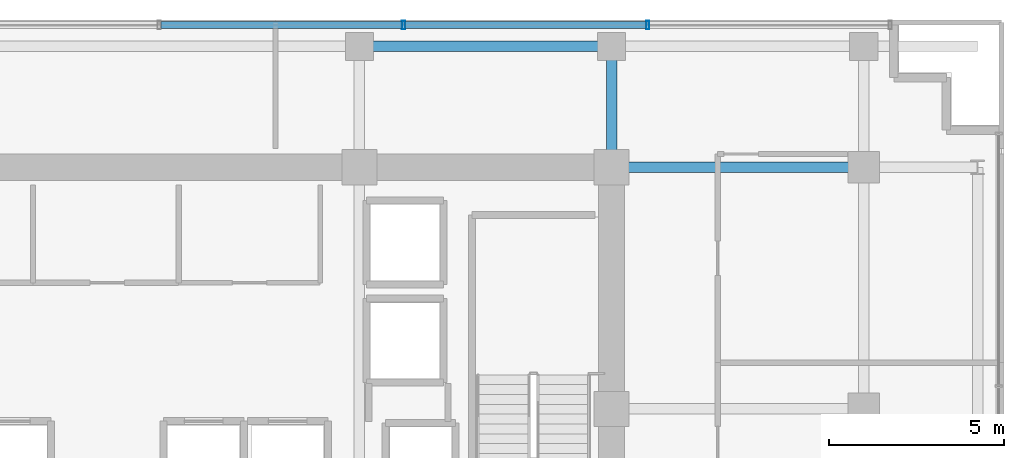
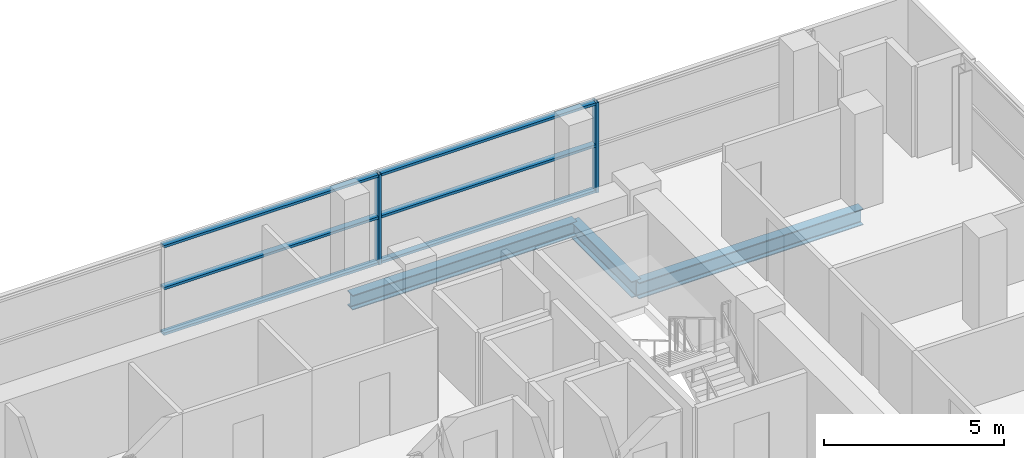
# One storey, part 17 of 27: 8 members, 3 beams, 1 element without a shape of its own.
"""IFC4 building model written with IfcOpenShell, lengths in metres."""

from ifc_helpers import new_model, si_unit, direction, frame, origin, origin_2d, place, context, subcontext, project, spatial, hollow_rectangle, i_section, extrude, source, transform, mapped, material, layer, layer_set, material_profile, profile_set, type_object, element, aggregate, save


model = new_model("IFC4")

# Units and contexts
model_context = context("Model", 3, precision=1e-05, world=origin(), true_north=direction((0.0, 1.0)))
body_context = subcontext(model_context, "Body", "Model", "MODEL_VIEW")
ifc_project = project(units=[si_unit("LENGTHUNIT", "METRE"), si_unit("AREAUNIT", "SQUARE_METRE"), si_unit("VOLUMEUNIT", "CUBIC_METRE"), si_unit("PLANEANGLEUNIT", "RADIAN"), si_unit("MASSUNIT", "GRAM", prefix="KILO")], contexts=[model_context])

# Site, building, storey
site_placement = place(None, origin())
site = spatial("IfcSite", under=ifc_project, at=site_placement, CompositionType="ELEMENT")
building_placement = place(site_placement, origin())
building = spatial("IfcBuilding", under=site, at=building_placement, Name="Zarnakvel Exchange Tower", CompositionType="ELEMENT")
storey_placement = place(building_placement, frame((0.0, 0.0, 96.699951171875)))
storey = spatial("IfcBuildingStorey", under=building, at=storey_placement, Name="L26", CompositionType="ELEMENT", Elevation=96.699951171875)

# Beams
ifc_material_1 = material(Name="Steel S355", Category="steel")
ifc_material_profile_1 = material_profile(ifc_material_1, i_section(OverallWidth=0.300048828125, OverallDepth=0.550048828125, WebThickness=0.014892578125, FlangeThickness=0.029052734375, FilletRadius=0.027099609375, at=origin_2d()))
ifc_profile_set_1 = profile_set([ifc_material_profile_1], Name="Steel S355")
beam_type_1 = type_object("IfcBeamType", Name="G-05", PredefinedType="BEAM", material=ifc_profile_set_1)
beam_1_placement = place(storey_placement, frame((14.39990234375, 13.5, -0.5), z_axis=(1.0, 0.0, 0.0), x_axis=(0.0, 1.0, 0.0)))
element("IfcBeam", 1, at=beam_1_placement, inside=storey, type_object=beam_type_1, Name="L26 Tower E-W Frame Beam", PredefinedType="BEAM", context=body_context, shape_type="SweptSolid", body=[
    extrude(i_section(OverallWidth=0.300048828125, OverallDepth=0.550048828125, WebThickness=0.014892578125, FlangeThickness=0.029052734375, FilletRadius=0.027099609375, at=origin_2d()), origin(), (0.0, 0.0, 1.0), 7.2001953125),
])
beam_2_placement = place(storey_placement, frame((14.39990234375, 13.5, -0.5), z_axis=(0.0, 1.0, 0.0), x_axis=(-1.0, 0.0, 0.0)))
element("IfcBeam", 2, at=beam_2_placement, inside=storey, type_object=beam_type_1, Name="L26 Tower N-S Frame Beam", PredefinedType="BEAM", context=body_context, shape_type="SweptSolid", body=[
    extrude(i_section(OverallWidth=0.300048828125, OverallDepth=0.550048828125, WebThickness=0.014892578125, FlangeThickness=0.029052734375, FilletRadius=0.027099609375, at=origin_2d()), origin(), (0.0, 0.0, 1.0), 3.449951171875),
])
ifc_material_profile_2 = material_profile(ifc_material_1, i_section(OverallWidth=0.300048828125, OverallDepth=0.5, WebThickness=0.014404296875, FlangeThickness=0.028076171875, FilletRadius=0.027099609375, at=origin_2d()))
ifc_profile_set_2 = profile_set([ifc_material_profile_2], Name="Steel S355")
beam_type_2 = type_object("IfcBeamType", Name="SP-02", PredefinedType="SPANDREL", material=ifc_profile_set_2)
beam_3_placement = place(storey_placement, frame((7.199951171875, 16.949951171875, -0.474853515625), z_axis=(1.0, 0.0, 0.0), x_axis=(0.0, 1.0, 0.0)))
element("IfcBeam", 3, at=beam_3_placement, inside=storey, type_object=beam_type_2, Name="L26 Tower E-W Frame Beam", PredefinedType="SPANDREL", context=body_context, shape_type="SweptSolid", body=[
    extrude(i_section(OverallWidth=0.300048828125, OverallDepth=0.5, WebThickness=0.014404296875, FlangeThickness=0.028076171875, FilletRadius=0.027099609375, at=origin_2d()), origin(), (0.0, 0.0, 1.0), 7.199951171875),
])

# Curtain wall, members
ifc_material_2 = material(Name="Architectural Bronze Anodised Aluminium", Category="aluminium")
ifc_layer = layer(ifc_material_2, 0.239990234375)
ifc_layer_set = layer_set([ifc_layer], Name="Architectural Bronze Anodised Aluminium")
curtain_wall_type = type_object("IfcCurtainWallType", Name="CW-02", PredefinedType="NOTDEFINED", material=ifc_layer_set)
curtain_wall_placement = place(storey_placement, origin())
curtain_wall = element("IfcCurtainWall", 4, at=curtain_wall_placement, inside=storey, type_object=curtain_wall_type, Name="L26 Curtain Wall CW-L26-N1 (CW-02)", PredefinedType="NOTDEFINED")
ifc_material_profile_3 = material_profile(ifc_material_2, hollow_rectangle(XDim=0.239990234375, YDim=0.090087890625, WallThickness=0.006103515625, at=origin_2d()))
ifc_profile_set_3 = profile_set([ifc_material_profile_3], Name="Architectural Bronze Anodised Aluminium")
member_type_1 = type_object("IfcMemberType", Name="CWM-02", PredefinedType="MULLION", material=ifc_profile_set_3)
shared_shape_1 = source(origin(), body_context, "Body", "SweptSolid", [
    extrude(hollow_rectangle(XDim=0.239990234375, YDim=0.090087890625, WallThickness=0.006103515625, at=origin_2d()), origin(), (0.0, 0.0, 1.0), 3.054931640625),
])
member_1_placement = place(storey_placement, frame((8.45703125, 17.56005859375, 0.0), z_axis=(0.0, 0.0, 1.0), x_axis=(0.0, 1.0, 0.0)))
member_1 = element("IfcMember", 5, at=member_1_placement, type_object=member_type_1, Name="CW-02 mullion 6", PredefinedType="MULLION", context=body_context, shape_type="MappedRepresentation", body=[
    mapped(shared_shape_1, transform((0.0, 0.0, 0.0), x_axis=(1.0, 0.0, 0.0), y_axis=(0.0, 1.0, 0.0), z_axis=(0.0, 0.0, 1.0), scale=1.0)),
])
member_2_placement = place(storey_placement, frame((15.428466796875, 17.56005859375, 0.0), z_axis=(0.0, 0.0, 1.0), x_axis=(0.0, 1.0, 0.0)))
member_2 = element("IfcMember", 6, at=member_2_placement, type_object=member_type_1, Name="CW-02 mullion 7", PredefinedType="MULLION", context=body_context, shape_type="MappedRepresentation", body=[
    mapped(shared_shape_1, transform((0.0, 0.0, 0.0), x_axis=(1.0, 0.0, 0.0), y_axis=(0.0, 1.0, 0.0), z_axis=(0.0, 0.0, 1.0), scale=1.0)),
])
ifc_material_profile_4 = material_profile(ifc_material_2, hollow_rectangle(XDim=0.199951171875, YDim=0.0849609375, WallThickness=0.0048828125, at=origin_2d()))
ifc_profile_set_4 = profile_set([ifc_material_profile_4], Name="Architectural Bronze Anodised Aluminium")
member_type_2 = type_object("IfcMemberType", Name="CWT-02", PredefinedType="USERDEFINED", material=ifc_profile_set_4)
shared_shape_2 = source(origin(), body_context, "Body", "SweptSolid", [
    extrude(hollow_rectangle(XDim=0.199951171875, YDim=0.0849609375, WallThickness=0.0048828125, at=origin_2d()), origin(), (0.0, 0.0, 1.0), 6.88134765625),
])
member_3_placement = place(storey_placement, frame((1.53076171875, 17.56005859375, 0.04248046875), z_axis=(1.0, 0.0, 0.0), x_axis=(0.0, 1.0, 0.0)))
member_3 = element("IfcMember", 7, at=member_3_placement, type_object=member_type_2, Name="CW-02 transom 5.1", ObjectType="TRANSOM", PredefinedType="USERDEFINED", context=body_context, shape_type="MappedRepresentation", body=[
    mapped(shared_shape_2, transform((0.0, 0.0, 0.0), x_axis=(1.0, 0.0, 0.0), y_axis=(0.0, 1.0, 0.0), z_axis=(0.0, 0.0, 1.0), scale=1.0)),
])
member_4_placement = place(storey_placement, frame((1.53076171875, 17.56005859375, 1.588623046875), z_axis=(1.0, 0.0, 0.0), x_axis=(0.0, 1.0, 0.0)))
member_4 = element("IfcMember", 8, at=member_4_placement, type_object=member_type_2, Name="CW-02 transom 5.2", ObjectType="TRANSOM", PredefinedType="USERDEFINED", context=body_context, shape_type="MappedRepresentation", body=[
    mapped(shared_shape_2, transform((0.0, 0.0, 0.0), x_axis=(1.0, 0.0, 0.0), y_axis=(0.0, 1.0, 0.0), z_axis=(0.0, 0.0, 1.0), scale=1.0)),
])
member_5_placement = place(storey_placement, frame((1.53076171875, 17.56005859375, 3.012451171875), z_axis=(1.0, 0.0, 0.0), x_axis=(0.0, 1.0, 0.0)))
member_5 = element("IfcMember", 9, at=member_5_placement, type_object=member_type_2, Name="CW-02 transom 5.3", ObjectType="TRANSOM", PredefinedType="USERDEFINED", context=body_context, shape_type="MappedRepresentation", body=[
    mapped(shared_shape_2, transform((0.0, 0.0, 0.0), x_axis=(1.0, 0.0, 0.0), y_axis=(0.0, 1.0, 0.0), z_axis=(0.0, 0.0, 1.0), scale=1.0)),
])
member_6_placement = place(storey_placement, frame((8.502197265625, 17.56005859375, 0.04248046875), z_axis=(1.0, 0.0, 0.0), x_axis=(0.0, 1.0, 0.0)))
member_6 = element("IfcMember", 10, at=member_6_placement, type_object=member_type_2, Name="CW-02 transom 6.1", ObjectType="TRANSOM", PredefinedType="USERDEFINED", context=body_context, shape_type="MappedRepresentation", body=[
    mapped(shared_shape_2, transform((0.0, 0.0, 0.0), x_axis=(1.0, 0.0, 0.0), y_axis=(0.0, 1.0, 0.0), z_axis=(0.0, 0.0, 1.0), scale=1.0)),
])
member_7_placement = place(storey_placement, frame((8.502197265625, 17.56005859375, 1.588623046875), z_axis=(1.0, 0.0, 0.0), x_axis=(0.0, 1.0, 0.0)))
member_7 = element("IfcMember", 11, at=member_7_placement, type_object=member_type_2, Name="CW-02 transom 6.2", ObjectType="TRANSOM", PredefinedType="USERDEFINED", context=body_context, shape_type="MappedRepresentation", body=[
    mapped(shared_shape_2, transform((0.0, 0.0, 0.0), x_axis=(1.0, 0.0, 0.0), y_axis=(0.0, 1.0, 0.0), z_axis=(0.0, 0.0, 1.0), scale=1.0)),
])
member_8_placement = place(storey_placement, frame((8.502197265625, 17.56005859375, 3.012451171875), z_axis=(1.0, 0.0, 0.0), x_axis=(0.0, 1.0, 0.0)))
member_8 = element("IfcMember", 12, at=member_8_placement, type_object=member_type_2, Name="CW-02 transom 6.3", ObjectType="TRANSOM", PredefinedType="USERDEFINED", context=body_context, shape_type="MappedRepresentation", body=[
    mapped(shared_shape_2, transform((0.0, 0.0, 0.0), x_axis=(1.0, 0.0, 0.0), y_axis=(0.0, 1.0, 0.0), z_axis=(0.0, 0.0, 1.0), scale=1.0)),
])
aggregate(curtain_wall, [member_1, member_2, member_3, member_4, member_5, member_6, member_7, member_8])

save(model, "model.ifc")
